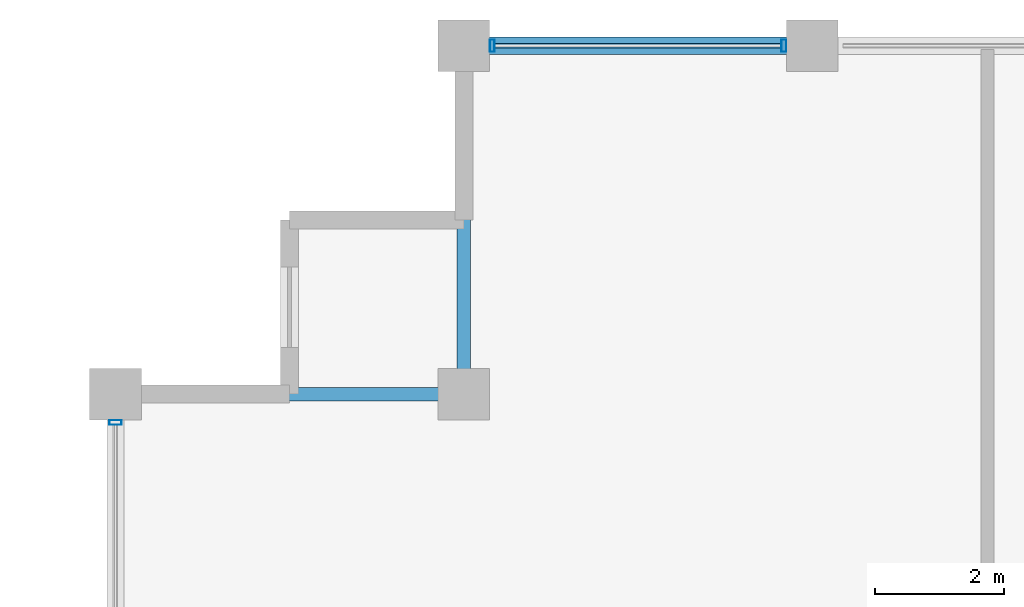
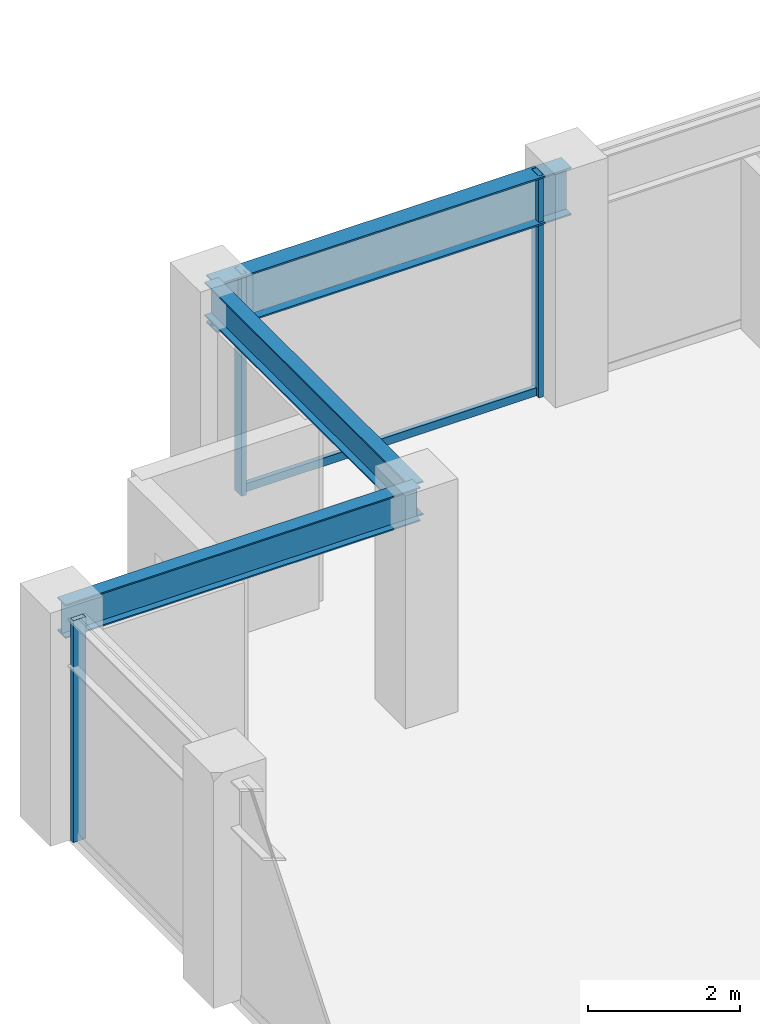
# One storey, part 16 of 30: 4 members, 3 beams, 2 elements without a shape of their own.
"""IFC4 building model written with IfcOpenShell, lengths in metres."""

from ifc_helpers import new_model, si_unit, direction, frame, origin, origin_2d, place, context, subcontext, project, spatial, hollow_rectangle, i_section, extrude, material, layer, layer_set, material_profile, profile_set, type_object, element, aggregate, save


model = new_model("IFC4")

# Units and contexts
model_context = context("Model", 3, precision=1e-05, world=origin(), true_north=direction((0.0, 1.0)))
body_context = subcontext(model_context, "Body", "Model", "MODEL_VIEW")
ifc_project = project(units=[si_unit("LENGTHUNIT", "METRE"), si_unit("AREAUNIT", "SQUARE_METRE"), si_unit("VOLUMEUNIT", "CUBIC_METRE"), si_unit("PLANEANGLEUNIT", "RADIAN"), si_unit("MASSUNIT", "GRAM", prefix="KILO")], contexts=[model_context])

# Site, building, storey
site_placement = place(None, origin())
site = spatial("IfcSite", under=ifc_project, at=site_placement, CompositionType="ELEMENT")
building_placement = place(site_placement, origin())
building = spatial("IfcBuilding", under=site, at=building_placement, Name="Surkhivell Harbour Commons", CompositionType="ELEMENT")
storey_placement = place(building_placement, frame((0.0, 0.0, 227.25)))
storey = spatial("IfcBuildingStorey", under=building, at=storey_placement, Name="L59", CompositionType="ELEMENT", Elevation=227.25)

# Beams
ifc_material_1 = material(Name="Steel S355", Category="steel")
ifc_material_profile_1 = material_profile(ifc_material_1, i_section(OverallWidth=0.2119140625, OverallDepth=0.5439453125, WebThickness=0.0126953125, FlangeThickness=0.021240234375, at=origin_2d()), Name="UB533x210x122")
ifc_profile_set_1 = profile_set([ifc_material_profile_1], Name="Steel S355")
beam_type_1 = type_object("IfcBeamType", Name="BM-GRD-533A", PredefinedType="BEAM", material=ifc_profile_set_1)
for number, where, z_axis, x_axis, name in (
    (1, (-27.0, 20.5, 3.298095703125), (1.0, 0.0, 0.0), (0.0, 1.0, 0.0), "L59 Floor Girder (-27.0,20.5)"),
    (2, (-21.60009765625, 20.5, 3.298095703125), (0.0, 1.0, 0.0), (-1.0, 0.0, 0.0), "L59 Floor Girder (-21.6,20.5)"),
):
    element("IfcBeam", number, at=place(storey_placement, frame(where, z_axis=z_axis, x_axis=x_axis)), inside=storey, type_object=beam_type_1, Name=name, PredefinedType="BEAM", context=body_context, shape_type="SweptSolid", body=[
        extrude(i_section(OverallWidth=0.2119140625, OverallDepth=0.5439453125, WebThickness=0.0126953125, FlangeThickness=0.021240234375, at=origin_2d()), origin(), (0.0, 0.0, 1.0), 5.39990234375),
    ])
ifc_material_profile_2 = material_profile(ifc_material_1, i_section(OverallWidth=0.26806640625, OverallDepth=0.77001953125, WebThickness=0.015625, FlangeThickness=0.025390625, at=origin_2d()), Name="UB762x267x197")
ifc_profile_set_2 = profile_set([ifc_material_profile_2], Name="Steel S355")
beam_type_2 = type_object("IfcBeamType", Name="BM-SPN-762", PredefinedType="SPANDREL", material=ifc_profile_set_2)
beam_placement = place(storey_placement, frame((-21.60009765625, 25.89990234375, 3.18505859375), z_axis=(1.0, 0.0, 0.0), x_axis=(0.0, 1.0, 0.0)))
element("IfcBeam", 3, at=beam_placement, inside=storey, type_object=beam_type_2, Name="L59 Tube Spandrel (-21.6,25.9)", PredefinedType="SPANDREL", context=body_context, shape_type="SweptSolid", body=[
    extrude(i_section(OverallWidth=0.26806640625, OverallDepth=0.77001953125, WebThickness=0.015625, FlangeThickness=0.025390625, at=origin_2d()), origin(), (0.0, 0.0, 1.0), 5.400146484375),
])

# Curtain wall, members
ifc_material_2 = material(Name="Anodised pale-metal aluminium and insulated glazing", Category="aluminium")
ifc_layer = layer(ifc_material_2, 0.18994140625)
ifc_layer_set = layer_set([ifc_layer], Name="Anodised pale-metal aluminium and insulated glazing")
curtain_wall_type = type_object("IfcCurtainWallType", Name="CW-SYS-Z3", PredefinedType="NOTDEFINED", material=ifc_layer_set)
curtain_wall_1_placement = place(storey_placement, origin())
curtain_wall_1 = element("IfcCurtainWall", 4, at=curtain_wall_1_placement, inside=storey, type_object=curtain_wall_type, Name="L59 Curtain Wall CW-L59-E07S2", PredefinedType="NOTDEFINED")
ifc_material_3 = material(Name="Anodised pale-metal aluminium alloy 6063-T6", Category="aluminium")
ifc_material_profile_3 = material_profile(ifc_material_3, hollow_rectangle(XDim=0.074951171875, YDim=0.18994140625, WallThickness=0.00390625, at=origin_2d()), Name="ALU-MULL-75x190")
ifc_profile_set_3 = profile_set([ifc_material_profile_3], Name="Anodised pale-metal aluminium alloy 6063-T6")
member_type_1 = type_object("IfcMemberType", Name="CWM-190", PredefinedType="MULLION", material=ifc_profile_set_3)
member_1_placement = place(storey_placement, frame((-16.639404296875, 25.89990234375, 0.0), z_axis=(0.0, 0.0, 1.0), x_axis=(-1.0, 0.0, 0.0)))
member_1 = element("IfcMember", 5, at=member_1_placement, type_object=member_type_1, Name="CW-Z3 mullion 3", PredefinedType="MULLION", context=body_context, shape_type="SweptSolid", body=[
    extrude(hollow_rectangle(XDim=0.074951171875, YDim=0.18994140625, WallThickness=0.00390625, at=origin_2d()), origin(), (0.0, 0.0, 1.0), 3.570068359375),
])
member_2_placement = place(storey_placement, frame((-21.160400390625, 25.89990234375, 0.0), z_axis=(0.0, 0.0, 1.0), x_axis=(-1.0, 0.0, 0.0)))
member_2 = element("IfcMember", 6, at=member_2_placement, type_object=member_type_1, Name="CW-Z3 mullion 4", PredefinedType="MULLION", context=body_context, shape_type="SweptSolid", body=[
    extrude(hollow_rectangle(XDim=0.074951171875, YDim=0.18994140625, WallThickness=0.00390625, at=origin_2d()), origin(), (0.0, 0.0, 1.0), 3.570068359375),
])

# Curtain wall, member
curtain_wall_2_placement = place(storey_placement, origin())
curtain_wall_2 = element("IfcCurtainWall", 7, at=curtain_wall_2_placement, inside=storey, type_object=curtain_wall_type, Name="L59 Curtain Wall CW-L59-E12R2", PredefinedType="NOTDEFINED")
member_3_placement = place(storey_placement, frame((-27.0, 20.060546875, 0.0), z_axis=(0.0, 0.0, 1.0), x_axis=(0.0, 1.0, 0.0)))
member_3 = element("IfcMember", 8, at=member_3_placement, type_object=member_type_1, Name="CW-Z3 mullion 4", PredefinedType="MULLION", context=body_context, shape_type="SweptSolid", body=[
    extrude(hollow_rectangle(XDim=0.074951171875, YDim=0.18994140625, WallThickness=0.00390625, at=origin_2d()), origin(), (0.0, 0.0, 1.0), 3.570068359375),
])
aggregate(curtain_wall_2, [member_3])

# Member
ifc_material_4 = material(Name="Champagne anodised aluminium alloy 6063-T6", Category="aluminium")
ifc_material_profile_4 = material_profile(ifc_material_4, hollow_rectangle(XDim=0.070068359375, YDim=0.1298828125, WallThickness=0.00341796875, at=origin_2d()), Name="ALU-TRAN-70x130")
ifc_profile_set_4 = profile_set([ifc_material_profile_4], Name="Champagne anodised aluminium alloy 6063-T6")
member_type_2 = type_object("IfcMemberType", Name="CWT-130", PredefinedType="USERDEFINED", material=ifc_profile_set_4)
member_4_placement = place(storey_placement, frame((-16.677001953125, 25.89990234375, 0.06494140625), z_axis=(-1.0, 0.0, 0.0), x_axis=(0.0, -1.0, 0.0)))
member_4 = element("IfcMember", 9, at=member_4_placement, type_object=member_type_2, Name="CW-Z3 transom 3.1", ObjectType="TRANSOM", PredefinedType="USERDEFINED", context=body_context, shape_type="SweptSolid", body=[
    extrude(hollow_rectangle(XDim=0.070068359375, YDim=0.1298828125, WallThickness=0.00341796875, at=origin_2d()), origin(), (0.0, 0.0, 1.0), 4.446044921875),
])

aggregate(curtain_wall_1, [member_1, member_2, member_4])

save(model, "model.ifc")
